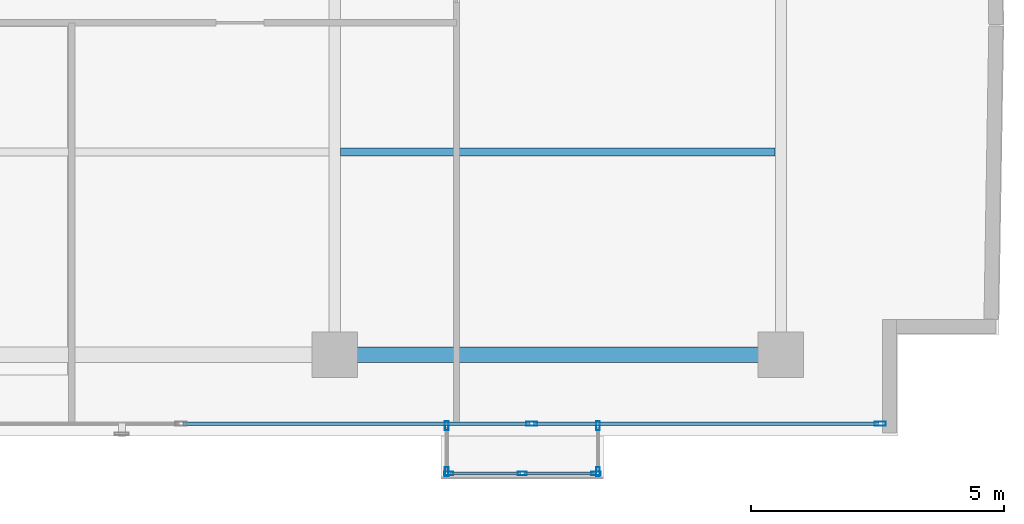
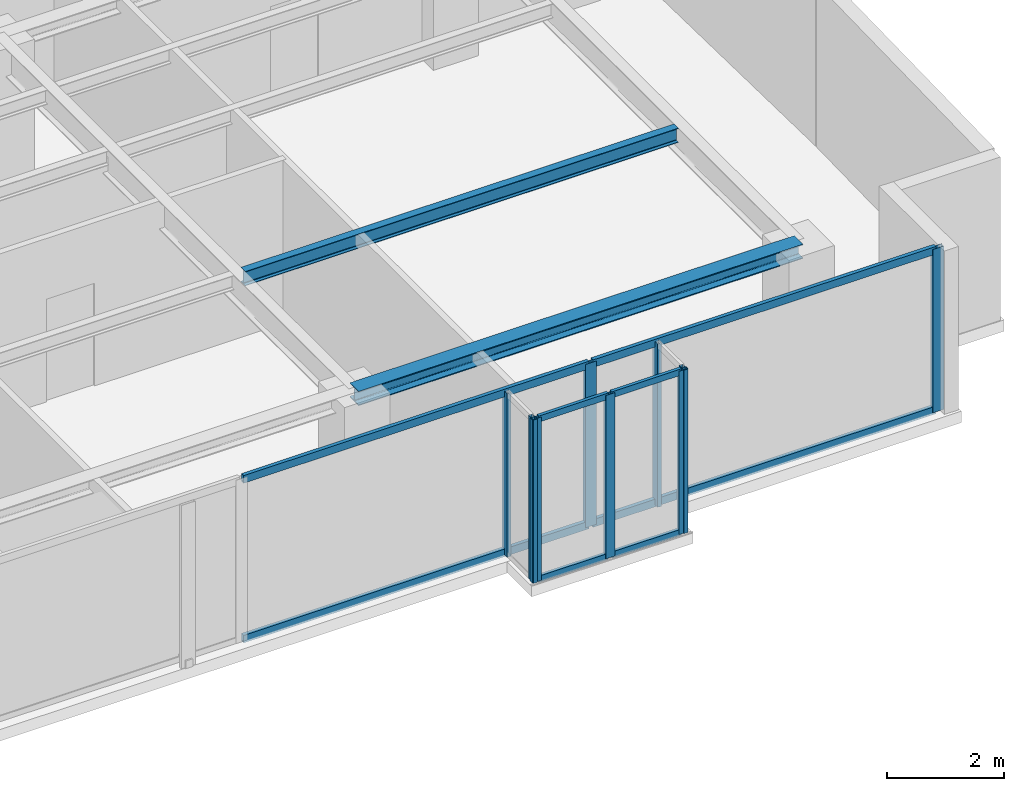
# One storey, part 10 of 23: 17 members, 2 beams, 4 elements without a shape of their own.
"""IFC4 building model written with IfcOpenShell, lengths in metres."""

from ifc_helpers import new_model, si_unit, direction, frame, origin, origin_with_axes, origin_2d, place, context, subcontext, project, spatial, hollow_rectangle, i_section, extrude, source, transform, mapped, material, layer, layer_set, material_profile, profile_set, type_object, element, aggregate, save


model = new_model("IFC4")

# Units and contexts
model_context = context("Model", 3, precision=1e-05, world=origin(), true_north=direction((0.0, 1.0)))
body_context = subcontext(model_context, "Body", "Model", "MODEL_VIEW")
ifc_project = project(units=[si_unit("LENGTHUNIT", "METRE"), si_unit("AREAUNIT", "SQUARE_METRE"), si_unit("VOLUMEUNIT", "CUBIC_METRE"), si_unit("PLANEANGLEUNIT", "RADIAN"), si_unit("MASSUNIT", "GRAM", prefix="KILO")], contexts=[model_context])

# Site, building, storey
site_placement = place(None, origin())
site = spatial("IfcSite", under=ifc_project, at=site_placement, CompositionType="ELEMENT")
building_placement = place(site_placement, origin())
building = spatial("IfcBuilding", under=site, at=building_placement, Name="Kolvaren Waterfront Exchange", CompositionType="ELEMENT")
storey_placement = place(building_placement, frame((0.0, 0.0, 335.0)))
storey = spatial("IfcBuildingStorey", under=building, at=storey_placement, Name="L86", CompositionType="ELEMENT", Elevation=335.0)

# Beams
ifc_material_1 = material(Name="Steel S355", Category="steel")
ifc_material_profile_1 = material_profile(ifc_material_1, i_section(OverallWidth=0.300048828125, OverallDepth=0.300048828125, WebThickness=0.010986328125, FlangeThickness=0.01904296875, FilletRadius=0.027099609375, at=origin_2d()), Name="HEB300")
ifc_profile_set_1 = profile_set([ifc_material_profile_1], Name="Steel S355")
beam_type_1 = type_object("IfcBeamType", Name="STR-BM-HEB300", PredefinedType="SPANDREL", material=ifc_profile_set_1)
beam_1_placement = place(storey_placement, frame((36.800048828125, 5.199951171875, 3.27001953125), z_axis=(1.0, 0.0, 0.0), x_axis=(0.0, 1.0, 0.0)))
element("IfcBeam", 1, at=beam_1_placement, inside=storey, type_object=beam_type_1, Name="L86 east-arm spandrel S3", PredefinedType="SPANDREL", context=body_context, shape_type="SweptSolid", body=[
    extrude(i_section(OverallWidth=0.300048828125, OverallDepth=0.300048828125, WebThickness=0.010986328125, FlangeThickness=0.01904296875, FilletRadius=0.027099609375, at=origin_2d()), origin(), (0.0, 0.0, 1.0), 8.800048828125),
])
ifc_material_profile_2 = material_profile(ifc_material_1, i_section(OverallWidth=0.14990234375, OverallDepth=0.300048828125, WebThickness=0.007080078125, FlangeThickness=0.0107421875, FilletRadius=0.014892578125, at=origin_2d()), Name="IPE300")
ifc_profile_set_2 = profile_set([ifc_material_profile_2], Name="Steel S355")
beam_type_2 = type_object("IfcBeamType", Name="STR-BM-IPE300", PredefinedType="JOIST", material=ifc_profile_set_2)
beam_2_placement = place(storey_placement, frame((36.912109375, 9.199951171875, 3.27001953125), z_axis=(1.0, 0.0, 0.0), x_axis=(0.0, 1.0, 0.0)))
element("IfcBeam", 2, at=beam_2_placement, inside=storey, type_object=beam_type_2, Name="L86 east-arm composite joist 3B", PredefinedType="JOIST", context=body_context, shape_type="SweptSolid", body=[
    extrude(i_section(OverallWidth=0.14990234375, OverallDepth=0.300048828125, WebThickness=0.007080078125, FlangeThickness=0.0107421875, FilletRadius=0.014892578125, at=origin_2d()), origin(), (0.0, 0.0, 1.0), 8.575927734375),
])

# Curtain wall, members
ifc_material_2 = material(Name="Anodised bronze aluminium 6063-T6", Category="aluminium")
ifc_layer_1 = layer(ifc_material_2, 0.219970703125, Name="Anodised bronze aluminium 6063-T6")
ifc_layer_set_1 = layer_set([ifc_layer_1], Name="Anodised bronze aluminium 6063-T6")
curtain_wall_type_1 = type_object("IfcCurtainWallType", Name="ARC-CW-SYS3", PredefinedType="USERDEFINED", material=ifc_layer_set_1)
curtain_wall_1_placement = place(storey_placement, origin())
curtain_wall_1 = element("IfcCurtainWall", 3, at=curtain_wall_1_placement, inside=storey, type_object=curtain_wall_type_1, Name="L86 stick curtain wall CW3 (CW-L86-BOX)", ObjectType="STICK CURTAIN WALL", PredefinedType="USERDEFINED")
ifc_material_profile_3 = material_profile(ifc_material_2, hollow_rectangle(XDim=0.06494140625, YDim=0.1298828125, WallThickness=0.00390625, at=origin_2d()), Name="ALU-TRN-130x65x4")
ifc_profile_set_3 = profile_set([ifc_material_profile_3], Name="Anodised bronze aluminium 6063-T6")
member_type_1 = type_object("IfcMemberType", Name="ARC-CWT-130", PredefinedType="USERDEFINED", material=ifc_profile_set_3)
shared_shape_1 = source(origin_with_axes(), body_context, "Body", "SweptSolid", [
    extrude(hollow_rectangle(XDim=0.06494140625, YDim=0.1298828125, WallThickness=0.00390625, at=origin_2d()), origin(), (0.0, 0.0, 1.0), 1.37744140625),
])
member_1_placement = place(storey_placement, frame((39.0849609375, 2.860107421875, 0.032470703125), z_axis=(1.0, 0.0, 0.0), x_axis=(0.0, 1.0, 0.0)))
member_1 = element("IfcMember", 4, at=member_1_placement, type_object=member_type_1, Name="CW3 transom 1.1", ObjectType="TRANSOM", PredefinedType="USERDEFINED", context=body_context, shape_type="MappedRepresentation", body=[
    mapped(shared_shape_1, transform((0.0, 0.0, 0.0), x_axis=(1.0, 0.0, 0.0), y_axis=(0.0, 1.0, 0.0), z_axis=(0.0, 0.0, 1.0), scale=1.0)),
])
member_2_placement = place(storey_placement, frame((39.0849609375, 2.860107421875, 3.387451171875), z_axis=(1.0, 0.0, 0.0), x_axis=(0.0, 1.0, 0.0)))
member_2 = element("IfcMember", 5, at=member_2_placement, type_object=member_type_1, Name="CW3 transom 1.2", ObjectType="TRANSOM", PredefinedType="USERDEFINED", context=body_context, shape_type="MappedRepresentation", body=[
    mapped(shared_shape_1, transform((0.0, 0.0, 0.0), x_axis=(1.0, 0.0, 0.0), y_axis=(0.0, 1.0, 0.0), z_axis=(0.0, 0.0, 1.0), scale=1.0)),
])
member_3_placement = place(storey_placement, frame((40.53759765625, 2.860107421875, 0.032470703125), z_axis=(1.0, 0.0, 0.0), x_axis=(0.0, 1.0, 0.0)))
member_3 = element("IfcMember", 6, at=member_3_placement, type_object=member_type_1, Name="CW3 transom 2.1", ObjectType="TRANSOM", PredefinedType="USERDEFINED", context=body_context, shape_type="MappedRepresentation", body=[
    mapped(shared_shape_1, transform((0.0, 0.0, 0.0), x_axis=(1.0, 0.0, 0.0), y_axis=(0.0, 1.0, 0.0), z_axis=(0.0, 0.0, 1.0), scale=1.0)),
])
member_4_placement = place(storey_placement, frame((40.53759765625, 2.860107421875, 3.387451171875), z_axis=(1.0, 0.0, 0.0), x_axis=(0.0, 1.0, 0.0)))
member_4 = element("IfcMember", 7, at=member_4_placement, type_object=member_type_1, Name="CW3 transom 2.2", ObjectType="TRANSOM", PredefinedType="USERDEFINED", context=body_context, shape_type="MappedRepresentation", body=[
    mapped(shared_shape_1, transform((0.0, 0.0, 0.0), x_axis=(1.0, 0.0, 0.0), y_axis=(0.0, 1.0, 0.0), z_axis=(0.0, 0.0, 1.0), scale=1.0)),
])

curtain_wall_2_placement = place(storey_placement, origin())
curtain_wall_2 = element("IfcCurtainWall", 8, at=curtain_wall_2_placement, inside=storey, type_object=curtain_wall_type_1, Name="L86 stick curtain wall CW3 (CW-L86-BOX-W)", ObjectType="STICK CURTAIN WALL", PredefinedType="USERDEFINED")
ifc_material_profile_4 = material_profile(ifc_material_2, hollow_rectangle(XDim=0.074951171875, YDim=0.179931640625, WallThickness=0.00439453125, at=origin_2d()), Name="ALU-MUL-180x75x4.5")
ifc_profile_set_4 = profile_set([ifc_material_profile_4], Name="Anodised bronze aluminium 6063-T6")
member_type_2 = type_object("IfcMemberType", Name="ARC-CWM-180", PredefinedType="MULLION", material=ifc_profile_set_4)
shared_shape_2 = source(origin_with_axes(), body_context, "Body", "SweptSolid", [
    extrude(hollow_rectangle(XDim=0.074951171875, YDim=0.179931640625, WallThickness=0.00439453125, at=origin_2d()), origin(), (0.0, 0.0, 1.0), 3.419921875),
])
member_5_placement = place(storey_placement, frame((39.010009765625, 3.802490234375, 0.0), z_axis=(0.0, 0.0, 1.0), x_axis=(1.0, 0.0, 0.0)))
member_5 = element("IfcMember", 9, at=member_5_placement, type_object=member_type_2, Name="CW3 mullion 1", PredefinedType="MULLION", context=body_context, shape_type="MappedRepresentation", body=[
    mapped(shared_shape_2, transform((0.0, 0.0, 0.0), x_axis=(1.0, 0.0, 0.0), y_axis=(0.0, 1.0, 0.0), z_axis=(0.0, 0.0, 1.0), scale=1.0)),
])
member_6_placement = place(storey_placement, frame((39.010009765625, 2.8974609375, 0.0), z_axis=(0.0, 0.0, 1.0), x_axis=(1.0, 0.0, 0.0)))
member_6 = element("IfcMember", 10, at=member_6_placement, type_object=member_type_2, Name="CW3 mullion 2", PredefinedType="MULLION", context=body_context, shape_type="MappedRepresentation", body=[
    mapped(shared_shape_2, transform((0.0, 0.0, 0.0), x_axis=(1.0, 0.0, 0.0), y_axis=(0.0, 1.0, 0.0), z_axis=(0.0, 0.0, 1.0), scale=1.0)),
])
aggregate(curtain_wall_2, [member_5, member_6])

# Member
member_7_placement = place(storey_placement, frame((39.047607421875, 2.860107421875, 0.0), z_axis=(0.0, 0.0, 1.0), x_axis=(0.0, 1.0, 0.0)))
member_7 = element("IfcMember", 11, at=member_7_placement, type_object=member_type_2, Name="CW3 mullion 1", PredefinedType="MULLION", context=body_context, shape_type="MappedRepresentation", body=[
    mapped(shared_shape_2, transform((0.0, 0.0, 0.0), x_axis=(1.0, 0.0, 0.0), y_axis=(0.0, 1.0, 0.0), z_axis=(0.0, 0.0, 1.0), scale=1.0)),
])

member_8_placement = place(storey_placement, frame((40.5, 2.860107421875, 0.0), z_axis=(0.0, 0.0, 1.0), x_axis=(0.0, 1.0, 0.0)))
member_8 = element("IfcMember", 12, at=member_8_placement, type_object=member_type_2, Name="CW3 mullion 2", PredefinedType="MULLION", context=body_context, shape_type="MappedRepresentation", body=[
    mapped(shared_shape_2, transform((0.0, 0.0, 0.0), x_axis=(1.0, 0.0, 0.0), y_axis=(0.0, 1.0, 0.0), z_axis=(0.0, 0.0, 1.0), scale=1.0)),
])

member_9_placement = place(storey_placement, frame((41.952392578125, 2.860107421875, 0.0), z_axis=(0.0, 0.0, 1.0), x_axis=(0.0, 1.0, 0.0)))
member_9 = element("IfcMember", 13, at=member_9_placement, type_object=member_type_2, Name="CW3 mullion 3", PredefinedType="MULLION", context=body_context, shape_type="MappedRepresentation", body=[
    mapped(shared_shape_2, transform((0.0, 0.0, 0.0), x_axis=(1.0, 0.0, 0.0), y_axis=(0.0, 1.0, 0.0), z_axis=(0.0, 0.0, 1.0), scale=1.0)),
])

aggregate(curtain_wall_1, [member_7, member_8, member_9, member_1, member_2, member_3, member_4])

# Curtain wall, members
curtain_wall_3_placement = place(storey_placement, origin())
curtain_wall_3 = element("IfcCurtainWall", 14, at=curtain_wall_3_placement, inside=storey, type_object=curtain_wall_type_1, Name="L86 stick curtain wall CW3 (CW-L86-BOX-E)", ObjectType="STICK CURTAIN WALL", PredefinedType="USERDEFINED")
member_10_placement = place(storey_placement, frame((41.989990234375, 2.8974609375, 0.0), z_axis=(0.0, 0.0, 1.0), x_axis=(-1.0, 0.0, 0.0)))
member_10 = element("IfcMember", 15, at=member_10_placement, type_object=member_type_2, Name="CW3 mullion 1", PredefinedType="MULLION", context=body_context, shape_type="MappedRepresentation", body=[
    mapped(shared_shape_2, transform((0.0, 0.0, 0.0), x_axis=(1.0, 0.0, 0.0), y_axis=(0.0, 1.0, 0.0), z_axis=(0.0, 0.0, 1.0), scale=1.0)),
])
member_11_placement = place(storey_placement, frame((41.989990234375, 3.802490234375, 0.0), z_axis=(0.0, 0.0, 1.0), x_axis=(-1.0, 0.0, 0.0)))
member_11 = element("IfcMember", 16, at=member_11_placement, type_object=member_type_2, Name="CW3 mullion 2", PredefinedType="MULLION", context=body_context, shape_type="MappedRepresentation", body=[
    mapped(shared_shape_2, transform((0.0, 0.0, 0.0), x_axis=(1.0, 0.0, 0.0), y_axis=(0.0, 1.0, 0.0), z_axis=(0.0, 0.0, 1.0), scale=1.0)),
])
aggregate(curtain_wall_3, [member_10, member_11])

ifc_layer_2 = layer(ifc_material_2, 0.219970703125, Name="Anodised bronze aluminium 6063-T6")
ifc_layer_set_2 = layer_set([ifc_layer_2], Name="Anodised bronze aluminium 6063-T6")
curtain_wall_type_2 = type_object("IfcCurtainWallType", Name="ARC-CW-SYS1", PredefinedType="USERDEFINED", material=ifc_layer_set_2)
curtain_wall_4_placement = place(storey_placement, origin())
curtain_wall_4 = element("IfcCurtainWall", 17, at=curtain_wall_4_placement, inside=storey, type_object=curtain_wall_type_2, Name="L86 stick curtain wall CW1 (CW-L86-S)", ObjectType="STICK CURTAIN WALL", PredefinedType="USERDEFINED")
ifc_material_3 = material(Name="Anodised aluminium 6063-T6", Category="aluminium")
ifc_material_profile_5 = material_profile(ifc_material_3, hollow_rectangle(XDim=0.080078125, YDim=0.219970703125, WallThickness=0.0048828125, at=origin_2d()), Name="ALU-MUL-220x80x5")
ifc_profile_set_5 = profile_set([ifc_material_profile_5], Name="Anodised aluminium 6063-T6")
member_type_3 = type_object("IfcMemberType", Name="ARC-CWM-220", PredefinedType="MULLION", material=ifc_profile_set_5)
shared_shape_3 = source(origin_with_axes(), body_context, "Body", "SweptSolid", [
    extrude(hollow_rectangle(XDim=0.080078125, YDim=0.219970703125, WallThickness=0.0048828125, at=origin_2d()), origin(), (0.0, 0.0, 1.0), 3.419921875),
])
member_12_placement = place(storey_placement, frame((40.683349609375, 3.840087890625, 0.0), z_axis=(0.0, 0.0, 1.0), x_axis=(0.0, 1.0, 0.0)))
member_12 = element("IfcMember", 18, at=member_12_placement, type_object=member_type_3, Name="CW1 mullion 6", PredefinedType="MULLION", context=body_context, shape_type="MappedRepresentation", body=[
    mapped(shared_shape_3, transform((0.0, 0.0, 0.0), x_axis=(1.0, 0.0, 0.0), y_axis=(0.0, 1.0, 0.0), z_axis=(0.0, 0.0, 1.0), scale=1.0)),
])
member_13_placement = place(storey_placement, frame((47.56005859375, 3.840087890625, 0.0), z_axis=(0.0, 0.0, 1.0), x_axis=(0.0, 1.0, 0.0)))
member_13 = element("IfcMember", 19, at=member_13_placement, type_object=member_type_3, Name="CW1 mullion 7", PredefinedType="MULLION", context=body_context, shape_type="MappedRepresentation", body=[
    mapped(shared_shape_3, transform((0.0, 0.0, 0.0), x_axis=(1.0, 0.0, 0.0), y_axis=(0.0, 1.0, 0.0), z_axis=(0.0, 0.0, 1.0), scale=1.0)),
])
ifc_material_profile_6 = material_profile(ifc_material_3, hollow_rectangle(XDim=0.074951171875, YDim=0.159912109375, WallThickness=0.00439453125, at=origin_2d()), Name="ALU-TRN-160x75x4.5")
ifc_profile_set_6 = profile_set([ifc_material_profile_6], Name="Anodised aluminium 6063-T6")
member_type_4 = type_object("IfcMemberType", Name="ARC-CWT-160", PredefinedType="USERDEFINED", material=ifc_profile_set_6)
shared_shape_4 = source(origin_with_axes(), body_context, "Body", "SweptSolid", [
    extrude(hollow_rectangle(XDim=0.074951171875, YDim=0.159912109375, WallThickness=0.00439453125, at=origin_2d()), origin(), (0.0, 0.0, 1.0), 6.796630859375),
])
member_14_placement = place(storey_placement, frame((40.723388671875, 3.840087890625, 0.03759765625), z_axis=(1.0, 0.0, 0.0), x_axis=(0.0, 1.0, 0.0)))
member_14 = element("IfcMember", 20, at=member_14_placement, type_object=member_type_4, Name="CW1 transom 6.1", ObjectType="TRANSOM", PredefinedType="USERDEFINED", context=body_context, shape_type="MappedRepresentation", body=[
    mapped(shared_shape_4, transform((0.0, 0.0, 0.0), x_axis=(1.0, 0.0, 0.0), y_axis=(0.0, 1.0, 0.0), z_axis=(0.0, 0.0, 1.0), scale=1.0)),
])
member_15_placement = place(storey_placement, frame((40.723388671875, 3.840087890625, 3.382568359375), z_axis=(1.0, 0.0, 0.0), x_axis=(0.0, 1.0, 0.0)))
member_15 = element("IfcMember", 21, at=member_15_placement, type_object=member_type_4, Name="CW1 transom 6.2", ObjectType="TRANSOM", PredefinedType="USERDEFINED", context=body_context, shape_type="MappedRepresentation", body=[
    mapped(shared_shape_4, transform((0.0, 0.0, 0.0), x_axis=(1.0, 0.0, 0.0), y_axis=(0.0, 1.0, 0.0), z_axis=(0.0, 0.0, 1.0), scale=1.0)),
])
shared_shape_5 = source(origin_with_axes(), body_context, "Body", "SweptSolid", [
    extrude(hollow_rectangle(XDim=0.074951171875, YDim=0.159912109375, WallThickness=0.00439453125, at=origin_2d()), origin(), (0.0, 0.0, 1.0), 6.836669921875),
])
member_16_placement = place(storey_placement, frame((33.806640625, 3.840087890625, 0.03759765625), z_axis=(1.0, 0.0, 0.0), x_axis=(0.0, 1.0, 0.0)))
member_16 = element("IfcMember", 22, at=member_16_placement, type_object=member_type_4, Name="CW1 transom 5.1", ObjectType="TRANSOM", PredefinedType="USERDEFINED", context=body_context, shape_type="MappedRepresentation", body=[
    mapped(shared_shape_5, transform((0.0, 0.0, 0.0), x_axis=(1.0, 0.0, 0.0), y_axis=(0.0, 1.0, 0.0), z_axis=(0.0, 0.0, 1.0), scale=1.0)),
])
member_17_placement = place(storey_placement, frame((33.806640625, 3.840087890625, 3.382568359375), z_axis=(1.0, 0.0, 0.0), x_axis=(0.0, 1.0, 0.0)))
member_17 = element("IfcMember", 23, at=member_17_placement, type_object=member_type_4, Name="CW1 transom 5.2", ObjectType="TRANSOM", PredefinedType="USERDEFINED", context=body_context, shape_type="MappedRepresentation", body=[
    mapped(shared_shape_5, transform((0.0, 0.0, 0.0), x_axis=(1.0, 0.0, 0.0), y_axis=(0.0, 1.0, 0.0), z_axis=(0.0, 0.0, 1.0), scale=1.0)),
])
aggregate(curtain_wall_4, [member_12, member_13, member_16, member_17, member_14, member_15])

save(model, "model.ifc")
